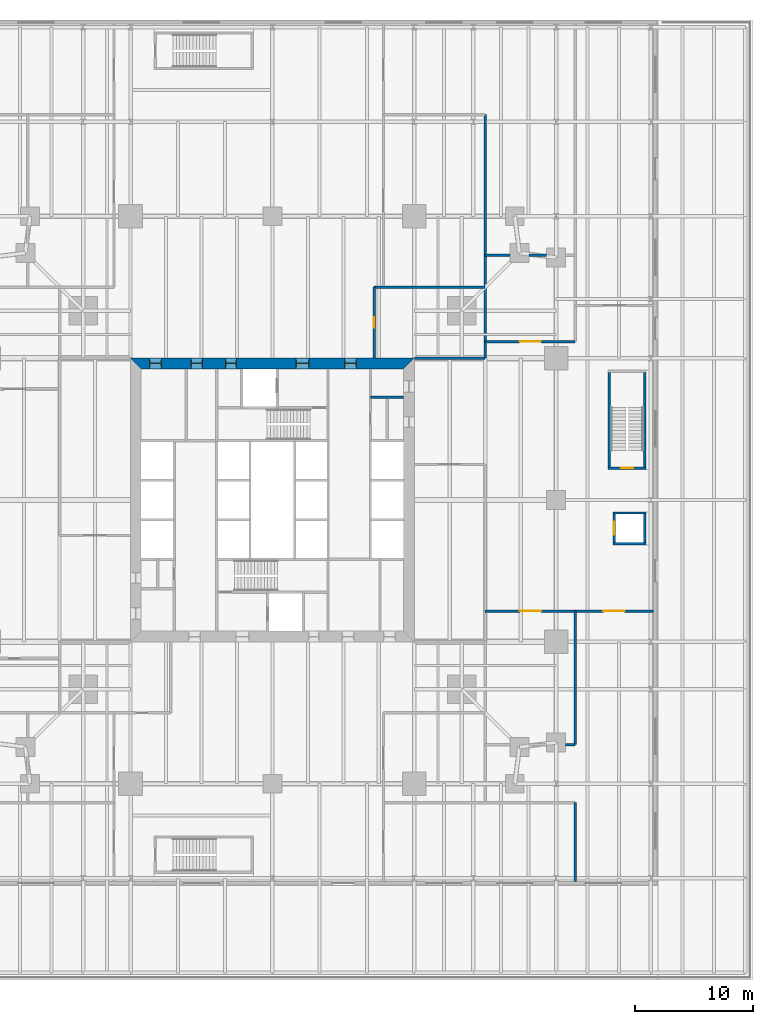
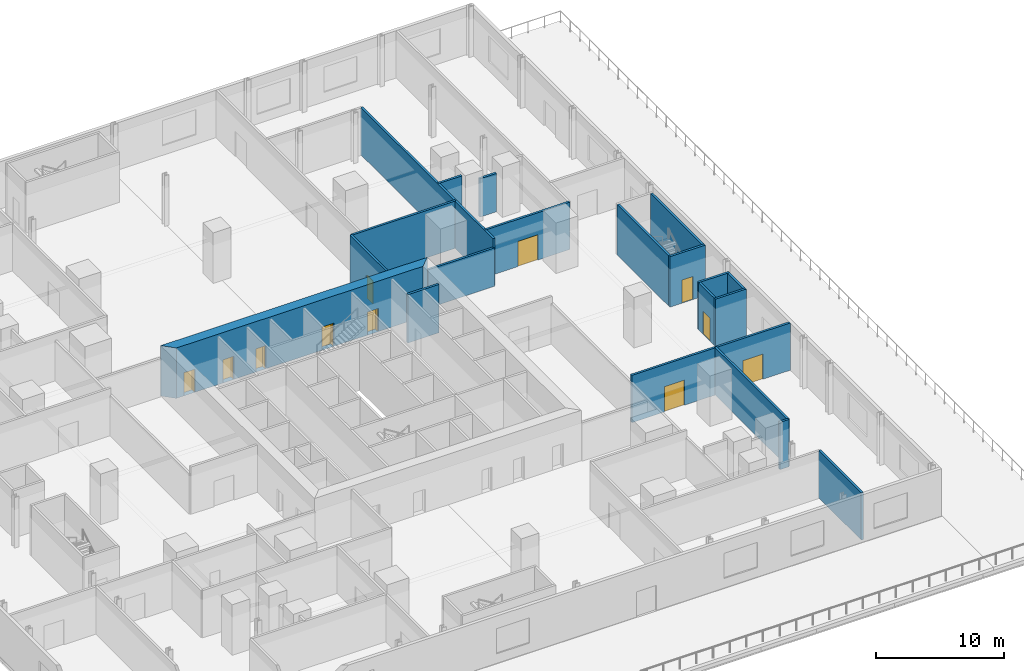
# One storey, part 13 of 18: 20 walls, 11 doors, 11 openings.
"""IFC4 building model written with IfcOpenShell, lengths in metres."""

from ifc_helpers import new_model, si_unit, direction, frame, frame_2d, origin, place, context, subcontext, project, spatial, polyline, rectangle, outline, extrude, material, layer, layer_set, type_object, element, fill, save


model = new_model("IFC4")

# Units and contexts
model_context = context("Model", 3, precision=1e-05, world=origin(), true_north=direction((0.0, 1.0)))
body_context = subcontext(model_context, "Body", "Model", "MODEL_VIEW")
ifc_project = project(units=[si_unit("LENGTHUNIT", "METRE"), si_unit("AREAUNIT", "SQUARE_METRE"), si_unit("VOLUMEUNIT", "CUBIC_METRE"), si_unit("PLANEANGLEUNIT", "RADIAN"), si_unit("MASSUNIT", "GRAM", prefix="KILO")], contexts=[model_context])

# Site, building, storey
site_placement = place(None, origin())
site = spatial("IfcSite", under=ifc_project, at=site_placement, CompositionType="ELEMENT")
building_placement = place(site_placement, origin())
building = spatial("IfcBuilding", under=site, at=building_placement, Name="Fenwick Lantern Interchange", CompositionType="ELEMENT")
storey_placement = place(building_placement, frame((0.0, 0.0, 11.800048828125)))
storey = spatial("IfcBuildingStorey", under=building, at=storey_placement, Name="L02", CompositionType="ELEMENT", Elevation=11.800048828125)

# Wall
ifc_material_1 = material(Name="Concrete masonry ASTM C90 Grade N", Category="masonry")
ifc_layer_1 = layer(ifc_material_1, 0.199951171875)
ifc_layer_set_1 = layer_set([ifc_layer_1], Name="Concrete masonry ASTM C90 Grade N")
wall_type_1 = type_object("IfcWallType", Name="CORE PARTITION 200", PredefinedType="PARTITIONING", material=ifc_layer_set_1)
wall_1_placement = place(storey_placement, frame((36.10009765625, 33.699951171875, 0.0), z_axis=(0.0, 0.0, 1.0), x_axis=(-1.0, 0.0, 0.0)))
element("IfcWall", 1, at=wall_1_placement, inside=storey, type_object=wall_type_1, Name="L02/W/COREN/p1", PredefinedType="PARTITIONING", context=body_context, shape_type="SweptSolid", body=[
    extrude(rectangle(XDim=2.800048828125, YDim=0.199951171875, at=frame_2d((1.39990234375, 0.0))), origin(), (0.0, 0.0, 1.0), 4.599853515625),
])

# Wall, openings, doors
ifc_material_2 = material(Name="Concrete f'c 70 MPa", Category="concrete")
ifc_layer_2 = layer(ifc_material_2, 0.89990234375)
ifc_layer_set_2 = layer_set([ifc_layer_2], Name="CORE WALL 900")
wall_type_2 = type_object("IfcWallType", Name="CORE WALL 900", PredefinedType="SHEAR", material=ifc_layer_set_2)
wall_2_placement = place(storey_placement, frame((37.0, 36.550048828125, 0.0), z_axis=(0.0, 0.0, 1.0), x_axis=(-1.0, 0.0, 0.0)))
wall_2 = element("IfcWall", 2, at=wall_2_placement, inside=storey, type_object=wall_type_2, Name="L02/CORE/N", PredefinedType="SHEAR", context=body_context, shape_type="SweptSolid", body=[
    extrude(outline(polyline([(0.0, -0.449951171875), (24.0, -0.449951171875), (23.10009765625, 0.449951171875), (0.89990234375, 0.449951171875), (0.0, -0.449951171875)])), origin(), (0.0, 0.0, 1.0), 4.800048828125),
])
opening_1_placement = place(wall_2_placement, frame((4.89990234375, 0.0, 0.0)))
opening_1 = element("IfcOpeningElement", 3, at=opening_1_placement, cuts=wall_2, Name="Opening L02-D015", PredefinedType="OPENING", context=body_context, shape_type="SweptSolid", body=[
    extrude(rectangle(XDim=1.0, YDim=2.199951171875, at=frame_2d((0.5, 1.10009765625))), frame((0.0, 0.4599609375, 0.0), z_axis=(0.0, -1.0, 0.0), x_axis=(1.0, 0.0, 0.0)), (0.0, 0.0, 1.0), 0.919921875),
])
opening_2_placement = place(wall_2_placement, frame((8.89990234375, 0.0, 0.0)))
opening_2 = element("IfcOpeningElement", 4, at=opening_2_placement, cuts=wall_2, Name="Opening L02-D016", PredefinedType="OPENING", context=body_context, shape_type="SweptSolid", body=[
    extrude(rectangle(XDim=1.10009765625, YDim=2.199951171875, at=frame_2d((0.550048828125, 1.10009765625))), frame((0.0, 0.4599609375, 0.0), z_axis=(0.0, -1.0, 0.0), x_axis=(1.0, 0.0, 0.0)), (0.0, 0.0, 1.0), 0.919921875),
])
opening_3_placement = place(wall_2_placement, frame((15.050048828125, 0.0, 0.0)))
opening_3 = element("IfcOpeningElement", 5, at=opening_3_placement, cuts=wall_2, Name="Opening L02-D018", PredefinedType="OPENING", context=body_context, shape_type="SweptSolid", body=[
    extrude(rectangle(XDim=0.89990234375, YDim=2.199951171875, at=frame_2d((0.449951171875, 1.10009765625))), frame((0.0, 0.4599609375, 0.0), z_axis=(0.0, -1.0, 0.0), x_axis=(1.0, 0.0, 0.0)), (0.0, 0.0, 1.0), 0.919921875),
])
opening_4_placement = place(wall_2_placement, frame((17.89990234375, 0.0, 0.0)))
opening_4 = element("IfcOpeningElement", 6, at=opening_4_placement, cuts=wall_2, Name="Opening L02-D019", PredefinedType="OPENING", context=body_context, shape_type="SweptSolid", body=[
    extrude(rectangle(XDim=1.0, YDim=2.199951171875, at=frame_2d((0.5, 1.10009765625))), frame((0.0, 0.4599609375, 0.0), z_axis=(0.0, -1.0, 0.0), x_axis=(1.0, 0.0, 0.0)), (0.0, 0.0, 1.0), 0.919921875),
])
opening_5_placement = place(wall_2_placement, frame((21.39990234375, 0.0, 0.0)))
opening_5 = element("IfcOpeningElement", 7, at=opening_5_placement, cuts=wall_2, Name="Opening L02-D020", PredefinedType="OPENING", context=body_context, shape_type="SweptSolid", body=[
    extrude(rectangle(XDim=1.0, YDim=2.199951171875, at=frame_2d((0.5, 1.10009765625))), frame((0.0, 0.4599609375, 0.0), z_axis=(0.0, -1.0, 0.0), x_axis=(1.0, 0.0, 0.0)), (0.0, 0.0, 1.0), 0.919921875),
])
ifc_material_3 = material(Name="Steel door and frame", Category="steel")
door_type_1 = type_object("IfcDoorType", Name="CORE LOBBY DOOR 1000 X 2200", OperationType="SINGLE_SWING_LEFT", PredefinedType="DOOR", material=ifc_material_3)
door_1_placement = place(opening_1_placement, origin())
door_1 = element("IfcDoor", 8, at=door_1_placement, inside=storey, type_object=door_type_1, Name="Core lobby door", OperationType="SINGLE_SWING_LEFT", OverallHeight=2.199951171875, OverallWidth=1.0, PredefinedType="DOOR", context=body_context, shape_type="SweptSolid", body=[
    extrude(rectangle(XDim=1.0, YDim=2.199951171875, at=frame_2d((0.5, 1.10009765625))), frame((0.0, 0.02490234375, 0.0), z_axis=(0.0, -1.0, 0.0), x_axis=(1.0, 0.0, 0.0)), (0.0, 0.0, 1.0), 0.050048828125),
    extrude(outline(polyline([(0.0, 0.0), (0.0400390625, 0.0), (0.0400390625, 2.159912109375), (0.9599609375, 2.159912109375), (0.9599609375, 0.0), (1.0, 0.0), (1.0, 2.199951171875), (0.0, 2.199951171875), (0.0, 0.0)])), frame((0.0, 0.300048828125, 0.0), z_axis=(0.0, -1.0, 0.0), x_axis=(1.0, 0.0, 0.0)), (0.0, 0.0, 1.0), 0.60009765625),
])
fill(opening_1, door_1)
door_type_2 = type_object("IfcDoorType", Name="FIRE LOBBY DOOR 1100 X 2200", OperationType="SINGLE_SWING_LEFT", PredefinedType="DOOR", material=ifc_material_3)
door_2_placement = place(opening_2_placement, origin())
door_2 = element("IfcDoor", 9, at=door_2_placement, inside=storey, type_object=door_type_2, Name="Fire lobby door", OperationType="SINGLE_SWING_LEFT", OverallHeight=2.199951171875, OverallWidth=1.10009765625, PredefinedType="DOOR", context=body_context, shape_type="SweptSolid", body=[
    extrude(rectangle(XDim=1.10009765625, YDim=2.199951171875, at=frame_2d((0.550048828125, 1.10009765625))), frame((0.0, 0.02490234375, 0.0), z_axis=(0.0, -1.0, 0.0), x_axis=(1.0, 0.0, 0.0)), (0.0, 0.0, 1.0), 0.050048828125),
    extrude(outline(polyline([(0.0, 0.0), (0.0400390625, 0.0), (0.0400390625, 2.159912109375), (1.06005859375, 2.159912109375), (1.06005859375, 0.0), (1.10009765625, 0.0), (1.10009765625, 2.199951171875), (0.0, 2.199951171875), (0.0, 0.0)])), frame((0.0, 0.300048828125, 0.0), z_axis=(0.0, -1.0, 0.0), x_axis=(1.0, 0.0, 0.0)), (0.0, 0.0, 1.0), 0.60009765625),
])
fill(opening_2, door_2)
door_type_3 = type_object("IfcDoorType", Name="SERVICE DOOR 900 X 2200", OperationType="SINGLE_SWING_LEFT", PredefinedType="DOOR", material=ifc_material_3)
door_3_placement = place(opening_3_placement, origin())
door_3 = element("IfcDoor", 10, at=door_3_placement, inside=storey, type_object=door_type_3, Name="Service door", OperationType="SINGLE_SWING_LEFT", OverallHeight=2.199951171875, OverallWidth=0.89990234375, PredefinedType="DOOR", context=body_context, shape_type="SweptSolid", body=[
    extrude(rectangle(XDim=0.89990234375, YDim=2.199951171875, at=frame_2d((0.449951171875, 1.10009765625))), frame((0.0, 0.02490234375, 0.0), z_axis=(0.0, -1.0, 0.0), x_axis=(1.0, 0.0, 0.0)), (0.0, 0.0, 1.0), 0.050048828125),
    extrude(outline(polyline([(0.0, 0.0), (0.0400390625, 0.0), (0.0400390625, 2.159912109375), (0.85986328125, 2.159912109375), (0.85986328125, 0.0), (0.89990234375, 0.0), (0.89990234375, 2.199951171875), (0.0, 2.199951171875), (0.0, 0.0)])), frame((0.0, 0.300048828125, 0.0), z_axis=(0.0, -1.0, 0.0), x_axis=(1.0, 0.0, 0.0)), (0.0, 0.0, 1.0), 0.60009765625),
])
fill(opening_3, door_3)
ifc_material_4 = material(Name="Hardwood door and steel frame", Category="steel")
door_type_4 = type_object("IfcDoorType", Name="WC DOOR 1000 X 2200", OperationType="SINGLE_SWING_LEFT", PredefinedType="DOOR", material=ifc_material_4)
door_4_placement = place(opening_4_placement, origin())
door_4 = element("IfcDoor", 11, at=door_4_placement, inside=storey, type_object=door_type_4, Name="Wc door", OperationType="SINGLE_SWING_RIGHT", OverallHeight=2.199951171875, OverallWidth=1.0, PredefinedType="DOOR", context=body_context, shape_type="SweptSolid", body=[
    extrude(rectangle(XDim=1.0, YDim=2.199951171875, at=frame_2d((0.5, 1.10009765625))), frame((0.0, 0.02490234375, 0.0), z_axis=(0.0, -1.0, 0.0), x_axis=(1.0, 0.0, 0.0)), (0.0, 0.0, 1.0), 0.050048828125),
    extrude(outline(polyline([(0.0, 0.0), (0.0400390625, 0.0), (0.0400390625, 2.159912109375), (0.9599609375, 2.159912109375), (0.9599609375, 0.0), (1.0, 0.0), (1.0, 2.199951171875), (0.0, 2.199951171875), (0.0, 0.0)])), frame((0.0, 0.300048828125, 0.0), z_axis=(0.0, -1.0, 0.0), x_axis=(1.0, 0.0, 0.0)), (0.0, 0.0, 1.0), 0.60009765625),
])
fill(opening_4, door_4)
door_5_placement = place(opening_5_placement, origin())
door_5 = element("IfcDoor", 12, at=door_5_placement, inside=storey, type_object=door_type_4, Name="Wc door", OperationType="SINGLE_SWING_RIGHT", OverallHeight=2.199951171875, OverallWidth=1.0, PredefinedType="DOOR", context=body_context, shape_type="SweptSolid", body=[
    extrude(rectangle(XDim=1.0, YDim=2.199951171875, at=frame_2d((0.5, 1.10009765625))), frame((0.0, 0.02490234375, 0.0), z_axis=(0.0, -1.0, 0.0), x_axis=(1.0, 0.0, 0.0)), (0.0, 0.0, 1.0), 0.050048828125),
    extrude(outline(polyline([(0.0, 0.0), (0.0400390625, 0.0), (0.0400390625, 2.159912109375), (0.9599609375, 2.159912109375), (0.9599609375, 0.0), (1.0, 0.0), (1.0, 2.199951171875), (0.0, 2.199951171875), (0.0, 0.0)])), frame((0.0, 0.300048828125, 0.0), z_axis=(0.0, -1.0, 0.0), x_axis=(1.0, 0.0, 0.0)), (0.0, 0.0, 1.0), 0.60009765625),
])
fill(opening_5, door_5)

# Walls
ifc_layer_3 = layer(ifc_material_1, 0.199951171875)
ifc_layer_set_3 = layer_set([ifc_layer_3], Name="Concrete masonry ASTM C90 Grade N")
wall_type_3 = type_object("IfcWallType", Name="LIFT SHAFT WALL 200", PredefinedType="PARTITIONING", material=ifc_layer_set_3)
wall_3_placement = place(storey_placement, frame((53.800048828125, 21.300048828125, 0.0), z_axis=(0.0, 0.0, 1.0), x_axis=(1.0, 0.0, 0.0)))
element("IfcWall", 13, at=wall_3_placement, inside=storey, type_object=wall_type_3, Name="L02/W/PL2/S", PredefinedType="PARTITIONING", context=body_context, shape_type="SweptSolid", body=[
    extrude(rectangle(XDim=2.800048828125, YDim=0.199951171875, at=frame_2d((1.39990234375, 0.0))), origin(), (0.0, 0.0, 1.0), 4.5),
])
wall_4_placement = place(storey_placement, frame((56.5, 21.39990234375, 0.0), z_axis=(0.0, 0.0, 1.0), x_axis=(0.0, 1.0, 0.0)))
element("IfcWall", 14, at=wall_4_placement, inside=storey, type_object=wall_type_3, Name="L02/W/PL2/E", PredefinedType="PARTITIONING", context=body_context, shape_type="SweptSolid", body=[
    extrude(rectangle(XDim=2.400146484375, YDim=0.199951171875, at=frame_2d((1.2001953125, 0.0))), origin(), (0.0, 0.0, 1.0), 4.5),
])
wall_5_placement = place(storey_placement, frame((56.60009765625, 23.89990234375, 0.0), z_axis=(0.0, 0.0, 1.0), x_axis=(-1.0, 0.0, 0.0)))
element("IfcWall", 15, at=wall_5_placement, inside=storey, type_object=wall_type_3, Name="L02/W/PL2/N", PredefinedType="PARTITIONING", context=body_context, shape_type="SweptSolid", body=[
    extrude(rectangle(XDim=2.800048828125, YDim=0.199951171875, at=frame_2d((1.39990234375, 0.0))), origin(), (0.0, 0.0, 1.0), 4.5),
])

# Wall, opening, door
wall_6_placement = place(storey_placement, frame((53.89990234375, 23.800048828125, 0.0), z_axis=(0.0, 0.0, 1.0), x_axis=(0.0, -1.0, 0.0)))
wall_6 = element("IfcWall", 16, at=wall_6_placement, inside=storey, type_object=wall_type_3, Name="L02/W/PL2/W", PredefinedType="PARTITIONING", context=body_context, shape_type="SweptSolid", body=[
    extrude(rectangle(XDim=2.400146484375, YDim=0.199951171875, at=frame_2d((1.2001953125, 0.0))), origin(), (0.0, 0.0, 1.0), 4.5),
])
opening_6_placement = place(wall_6_placement, frame((0.64990234375, 0.0, 0.0)))
opening_6 = element("IfcOpeningElement", 17, at=opening_6_placement, cuts=wall_6, Name="Opening LD-PL2", PredefinedType="OPENING", context=body_context, shape_type="SweptSolid", body=[
    extrude(rectangle(XDim=1.10009765625, YDim=2.199951171875, at=frame_2d((0.550048828125, 1.10009765625))), frame((0.0, 0.10986328125, 0.0), z_axis=(0.0, -1.0, 0.0), x_axis=(1.0, 0.0, 0.0)), (0.0, 0.0, 1.0), 0.219970703125),
])
door_type_5 = type_object("IfcDoorType", Name="LIFT LANDING DOOR 1100 X 2200", OperationType="DOUBLE_DOOR_SLIDING", PredefinedType="DOOR", material=ifc_material_3)
door_6_placement = place(opening_6_placement, origin())
door_6 = element("IfcDoor", 18, at=door_6_placement, inside=storey, type_object=door_type_5, Name="Lift landing door PL2", OperationType="DOUBLE_DOOR_SLIDING", OverallHeight=2.199951171875, OverallWidth=1.10009765625, PredefinedType="DOOR", context=body_context, shape_type="SweptSolid", body=[
    extrude(rectangle(XDim=1.10009765625, YDim=2.199951171875, at=frame_2d((0.550048828125, 1.10009765625))), frame((0.0, 0.02490234375, 0.0), z_axis=(0.0, -1.0, 0.0), x_axis=(1.0, 0.0, 0.0)), (0.0, 0.0, 1.0), 0.050048828125),
])
fill(opening_6, door_6)

ifc_material_5 = material(Name="Gypsum board on steel studs, 1 hour", Category="steel")
ifc_layer_4 = layer(ifc_material_5, 0.199951171875)
ifc_layer_set_4 = layer_set([ifc_layer_4], Name="ROOM WALL 200")
wall_type_4 = type_object("IfcWallType", Name="ROOM WALL 200", PredefinedType="PARTITIONING", material=ifc_layer_set_4)
wall_7_placement = place(storey_placement, frame((33.60009765625, 37.0, 0.0), z_axis=(0.0, 0.0, 1.0), x_axis=(0.0, 1.0, 0.0)))
wall_7 = element("IfcWall", 19, at=wall_7_placement, inside=storey, type_object=wall_type_4, Name="L02/W/POD/X33.6-1", PredefinedType="PARTITIONING", context=body_context, shape_type="SweptSolid", body=[
    extrude(rectangle(XDim=6.0, YDim=0.199951171875, at=frame_2d((3.0, 0.0))), origin(), (0.0, 0.0, 1.0), 4.5),
])
opening_7_placement = place(wall_7_placement, frame((2.550048828125, 0.0, 0.0)))
opening_7 = element("IfcOpeningElement", 20, at=opening_7_placement, cuts=wall_7, Name="Opening L02-D049", PredefinedType="OPENING", context=body_context, shape_type="SweptSolid", body=[
    extrude(rectangle(XDim=0.89990234375, YDim=2.199951171875, at=frame_2d((0.449951171875, 1.10009765625))), frame((0.0, 0.10986328125, 0.0), z_axis=(0.0, -1.0, 0.0), x_axis=(1.0, 0.0, 0.0)), (0.0, 0.0, 1.0), 0.219970703125),
])
door_type_6 = type_object("IfcDoorType", Name="OFFICE DOOR 900 X 2200", OperationType="SINGLE_SWING_LEFT", PredefinedType="DOOR", material=ifc_material_4)
door_7_placement = place(opening_7_placement, frame((0.89990234375, 0.0, 0.0), z_axis=(0.0, 0.0, 1.0), x_axis=(-1.0, 0.0, 0.0)))
door_7 = element("IfcDoor", 21, at=door_7_placement, inside=storey, type_object=door_type_6, Name="Office door", OperationType="SINGLE_SWING_LEFT", OverallHeight=2.199951171875, OverallWidth=0.89990234375, PredefinedType="DOOR", context=body_context, shape_type="SweptSolid", body=[
    extrude(rectangle(XDim=0.89990234375, YDim=2.199951171875, at=frame_2d((0.449951171875, 1.10009765625))), frame((0.0, 0.02490234375, 0.0), z_axis=(0.0, -1.0, 0.0), x_axis=(1.0, 0.0, 0.0)), (0.0, 0.0, 1.0), 0.050048828125),
])
fill(opening_7, door_7)

# Walls
wall_8_placement = place(storey_placement, frame((43.0, 37.0, 0.0), z_axis=(0.0, 0.0, 1.0), x_axis=(0.0, 1.0, 0.0)))
element("IfcWall", 22, at=wall_8_placement, inside=storey, type_object=wall_type_4, Name="L02/W/POD/X43-2", PredefinedType="PARTITIONING", context=body_context, shape_type="SweptSolid", body=[
    extrude(rectangle(XDim=20.60009765625, YDim=0.199951171875, at=frame_2d((10.300048828125, 0.0))), origin(), (0.0, 0.0, 1.0), 4.5),
])
wall_9_placement = place(storey_placement, frame((50.60009765625, -7.25, 0.0), z_axis=(0.0, 0.0, 1.0), x_axis=(0.0, 1.0, 0.0)))
element("IfcWall", 23, at=wall_9_placement, inside=storey, type_object=wall_type_4, Name="L02/W/POD/X50.6-1", PredefinedType="PARTITIONING", context=body_context, shape_type="SweptSolid", body=[
    extrude(rectangle(XDim=6.64990234375, YDim=0.199951171875, at=frame_2d((3.324951171875, 0.0))), origin(), (0.0, 0.0, 1.0), 4.5),
])
wall_10_placement = place(storey_placement, frame((50.60009765625, 4.300048828125, 0.0), z_axis=(0.0, 0.0, 1.0), x_axis=(0.0, 1.0, 0.0)))
element("IfcWall", 24, at=wall_10_placement, inside=storey, type_object=wall_type_4, Name="L02/W/POD/X50.6-2", PredefinedType="PARTITIONING", context=body_context, shape_type="SweptSolid", body=[
    extrude(rectangle(XDim=11.300048828125, YDim=0.199951171875, at=frame_2d((5.64990234375, 0.0))), origin(), (0.0, 0.0, 1.0), 4.5),
])
wall_11_placement = place(storey_placement, frame((49.800048828125, 4.300048828125, 0.0), z_axis=(0.0, 0.0, 1.0), x_axis=(1.0, 0.0, 0.0)))
element("IfcWall", 25, at=wall_11_placement, inside=storey, type_object=wall_type_4, Name="L02/W/POD/Y4.3-3", PredefinedType="PARTITIONING", context=body_context, shape_type="SweptSolid", body=[
    extrude(rectangle(XDim=0.800048828125, YDim=0.199951171875, at=frame_2d((0.39990234375, 0.0))), origin(), (0.0, 0.0, 1.0), 4.5),
])

# Wall, openings, doors
wall_12_placement = place(storey_placement, frame((43.0, 15.60009765625, 0.0), z_axis=(0.0, 0.0, 1.0), x_axis=(1.0, 0.0, 0.0)))
wall_12 = element("IfcWall", 26, at=wall_12_placement, inside=storey, type_object=wall_type_4, Name="L02/W/POD/Y15.6-1", PredefinedType="PARTITIONING", context=body_context, shape_type="SweptSolid", body=[
    extrude(rectangle(XDim=14.25, YDim=0.199951171875, at=frame_2d((7.125, 0.0))), origin(), (0.0, 0.0, 1.0), 4.5),
])
opening_8_placement = place(wall_12_placement, frame((10.0, 0.0, 0.0)))
opening_8 = element("IfcOpeningElement", 27, at=opening_8_placement, cuts=wall_12, Name="Opening L02-D035", PredefinedType="OPENING", context=body_context, shape_type="SweptSolid", body=[
    extrude(rectangle(XDim=1.800048828125, YDim=2.39990234375, at=frame_2d((0.89990234375, 1.199951171875))), frame((0.0, 0.10986328125, 0.0), z_axis=(0.0, -1.0, 0.0), x_axis=(1.0, 0.0, 0.0)), (0.0, 0.0, 1.0), 0.219970703125),
])
opening_9_placement = place(wall_12_placement, frame((2.925048828125, 0.0, 0.0)))
opening_9 = element("IfcOpeningElement", 28, at=opening_9_placement, cuts=wall_12, Name="Opening L02-D036", PredefinedType="OPENING", context=body_context, shape_type="SweptSolid", body=[
    extrude(rectangle(XDim=1.800048828125, YDim=2.39990234375, at=frame_2d((0.89990234375, 1.199951171875))), frame((0.0, 0.10986328125, 0.0), z_axis=(0.0, -1.0, 0.0), x_axis=(1.0, 0.0, 0.0)), (0.0, 0.0, 1.0), 0.219970703125),
])
door_type_7 = type_object("IfcDoorType", Name="ROOM DOOR PAIR 1800 X 2400", OperationType="DOUBLE_DOOR_SINGLE_SWING", PredefinedType="DOOR", material=ifc_material_3)
door_8_placement = place(opening_8_placement, origin())
door_8 = element("IfcDoor", 29, at=door_8_placement, inside=storey, type_object=door_type_7, Name="Room door pair", OperationType="DOUBLE_DOOR_SINGLE_SWING", OverallHeight=2.39990234375, OverallWidth=1.800048828125, PredefinedType="DOOR", context=body_context, shape_type="SweptSolid", body=[
    extrude(rectangle(XDim=1.800048828125, YDim=2.39990234375, at=frame_2d((0.89990234375, 1.199951171875))), frame((0.0, 0.02490234375, 0.0), z_axis=(0.0, -1.0, 0.0), x_axis=(1.0, 0.0, 0.0)), (0.0, 0.0, 1.0), 0.050048828125),
])
fill(opening_8, door_8)
door_9_placement = place(opening_9_placement, origin())
door_9 = element("IfcDoor", 30, at=door_9_placement, inside=storey, type_object=door_type_7, Name="Room door pair", OperationType="DOUBLE_DOOR_SINGLE_SWING", OverallHeight=2.39990234375, OverallWidth=1.800048828125, PredefinedType="DOOR", context=body_context, shape_type="SweptSolid", body=[
    extrude(rectangle(XDim=1.800048828125, YDim=2.39990234375, at=frame_2d((0.89990234375, 1.199951171875))), frame((0.0, 0.02490234375, 0.0), z_axis=(0.0, -1.0, 0.0), x_axis=(1.0, 0.0, 0.0)), (0.0, 0.0, 1.0), 0.050048828125),
])
fill(opening_9, door_9)

# Wall
wall_13_placement = place(storey_placement, frame((37.0, 37.0, 0.0), z_axis=(0.0, 0.0, 1.0), x_axis=(1.0, 0.0, 0.0)))
element("IfcWall", 31, at=wall_13_placement, inside=storey, type_object=wall_type_4, Name="L02/W/POD/Y37-2", PredefinedType="PARTITIONING", context=body_context, shape_type="SweptSolid", body=[
    extrude(rectangle(XDim=6.0, YDim=0.199951171875, at=frame_2d((3.0, 0.0))), origin(), (0.0, 0.0, 1.0), 3.652587890625),
])

# Wall, opening, door
wall_14_placement = place(storey_placement, frame((43.0, 38.39990234375, 0.0), z_axis=(0.0, 0.0, 1.0), x_axis=(1.0, 0.0, 0.0)))
wall_14 = element("IfcWall", 32, at=wall_14_placement, inside=storey, type_object=wall_type_4, Name="L02/W/POD/Y38.4-1", PredefinedType="PARTITIONING", context=body_context, shape_type="SweptSolid", body=[
    extrude(rectangle(XDim=7.60009765625, YDim=0.199951171875, at=frame_2d((3.800048828125, 0.0))), origin(), (0.0, 0.0, 1.0), 4.5),
])
opening_10_placement = place(wall_14_placement, frame((2.89990234375, 0.0, 0.0)))
opening_10 = element("IfcOpeningElement", 33, at=opening_10_placement, cuts=wall_14, Name="Opening L02-D037", PredefinedType="OPENING", context=body_context, shape_type="SweptSolid", body=[
    extrude(rectangle(XDim=1.800048828125, YDim=2.39990234375, at=frame_2d((0.89990234375, 1.199951171875))), frame((0.0, 0.10986328125, 0.0), z_axis=(0.0, -1.0, 0.0), x_axis=(1.0, 0.0, 0.0)), (0.0, 0.0, 1.0), 0.219970703125),
])
door_10_placement = place(opening_10_placement, frame((1.800048828125, 0.0, 0.0), z_axis=(0.0, 0.0, 1.0), x_axis=(-1.0, 0.0, 0.0)))
door_10 = element("IfcDoor", 34, at=door_10_placement, inside=storey, type_object=door_type_7, Name="Room door pair", OperationType="DOUBLE_DOOR_SINGLE_SWING", OverallHeight=2.39990234375, OverallWidth=1.800048828125, PredefinedType="DOOR", context=body_context, shape_type="SweptSolid", body=[
    extrude(rectangle(XDim=1.800048828125, YDim=2.39990234375, at=frame_2d((0.89990234375, 1.199951171875))), frame((0.0, 0.02490234375, 0.0), z_axis=(0.0, -1.0, 0.0), x_axis=(1.0, 0.0, 0.0)), (0.0, 0.0, 1.0), 0.050048828125),
])
fill(opening_10, door_10)

# Walls
wall_15_placement = place(storey_placement, frame((33.60009765625, 43.0, 0.0), z_axis=(0.0, 0.0, 1.0), x_axis=(1.0, 0.0, 0.0)))
element("IfcWall", 35, at=wall_15_placement, inside=storey, type_object=wall_type_4, Name="L02/W/POD/Y43-2", PredefinedType="PARTITIONING", context=body_context, shape_type="SweptSolid", body=[
    extrude(rectangle(XDim=9.39990234375, YDim=0.199951171875, at=frame_2d((4.699951171875, 0.0))), origin(), (0.0, 0.0, 1.0), 4.5),
])
wall_16_placement = place(storey_placement, frame((43.0, 45.699951171875, 0.0), z_axis=(0.0, 0.0, 1.0), x_axis=(1.0, 0.0, 0.0)))
element("IfcWall", 36, at=wall_16_placement, inside=storey, type_object=wall_type_4, Name="L02/W/POD/Y45.7-1", PredefinedType="PARTITIONING", context=body_context, shape_type="SweptSolid", body=[
    extrude(rectangle(XDim=2.10009765625, YDim=0.199951171875, at=frame_2d((1.050048828125, 0.0))), origin(), (0.0, 0.0, 1.0), 4.5),
])
wall_17_placement = place(storey_placement, frame((46.699951171875, 45.699951171875, 0.0), z_axis=(0.0, 0.0, 1.0), x_axis=(1.0, 0.0, 0.0)))
element("IfcWall", 37, at=wall_17_placement, inside=storey, type_object=wall_type_4, Name="L02/W/POD/Y45.7-2", PredefinedType="PARTITIONING", context=body_context, shape_type="SweptSolid", body=[
    extrude(rectangle(XDim=1.5, YDim=0.199951171875, at=frame_2d((0.75, 0.0))), origin(), (0.0, 0.0, 1.0), 3.64990234375),
])

# Wall, opening, door
ifc_material_6 = material(Name="Reinforced concrete masonry ASTM C90 Grade N", Category="masonry")
ifc_layer_5 = layer(ifc_material_6, 0.199951171875)
ifc_layer_set_5 = layer_set([ifc_layer_5], Name="Reinforced concrete masonry ASTM C90 Grade N")
wall_type_5 = type_object("IfcWallType", Name="STAIR ENCLOSURE 200", PredefinedType="SOLIDWALL", material=ifc_layer_set_5)
wall_18_placement = place(storey_placement, frame((53.39990234375, 27.699951171875, 0.0), z_axis=(0.0, 0.0, 1.0), x_axis=(1.0, 0.0, 0.0)))
wall_18 = element("IfcWall", 38, at=wall_18_placement, inside=storey, type_object=wall_type_5, Name="L02/W/PS4/S", PredefinedType="SOLIDWALL", context=body_context, shape_type="SweptSolid", body=[
    extrude(rectangle(XDim=3.2001953125, YDim=0.199951171875, at=frame_2d((1.60009765625, 0.0))), origin(), (0.0, 0.0, 1.0), 4.800048828125),
])
opening_11_placement = place(wall_18_placement, frame((1.10009765625, 0.0, 0.0)))
opening_11 = element("IfcOpeningElement", 39, at=opening_11_placement, cuts=wall_18, Name="Opening L02-D027", PredefinedType="OPENING", context=body_context, shape_type="SweptSolid", body=[
    extrude(rectangle(XDim=1.0, YDim=2.199951171875, at=frame_2d((0.5, 1.10009765625))), frame((0.0, 0.10986328125, 0.0), z_axis=(0.0, -1.0, 0.0), x_axis=(1.0, 0.0, 0.0)), (0.0, 0.0, 1.0), 0.219970703125),
])
door_type_8 = type_object("IfcDoorType", Name="STAIR DOOR 1000 X 2200", OperationType="SINGLE_SWING_LEFT", PredefinedType="DOOR", material=ifc_material_3)
door_11_placement = place(opening_11_placement, origin())
door_11 = element("IfcDoor", 40, at=door_11_placement, inside=storey, type_object=door_type_8, Name="Stair door", OperationType="SINGLE_SWING_LEFT", OverallHeight=2.199951171875, OverallWidth=1.0, PredefinedType="DOOR", context=body_context, shape_type="SweptSolid", body=[
    extrude(rectangle(XDim=1.0, YDim=2.199951171875, at=frame_2d((0.5, 1.10009765625))), frame((0.0, 0.02490234375, 0.0), z_axis=(0.0, -1.0, 0.0), x_axis=(1.0, 0.0, 0.0)), (0.0, 0.0, 1.0), 0.050048828125),
])
fill(opening_11, door_11)

# Walls
for number, where, z_axis, x_axis, name in (
    (41, (56.5, 27.800048828125, 0.0), (0.0, 0.0, 1.0), (0.0, 1.0, 0.0), "L02/W/PS4/E"),
    (42, (53.5, 35.800048828125, 0.0), (0.0, 0.0, 1.0), (0.0, -1.0, 0.0), "L02/W/PS4/W"),
):
    element("IfcWall", number, at=place(storey_placement, frame(where, z_axis=z_axis, x_axis=x_axis)), inside=storey, type_object=wall_type_5, Name=name, PredefinedType="SOLIDWALL", context=body_context, shape_type="SweptSolid", body=[
        extrude(rectangle(XDim=8.0, YDim=0.199951171875, at=frame_2d((4.0, 0.0))), origin(), (0.0, 0.0, 1.0), 4.800048828125),
    ])

save(model, "model.ifc")
